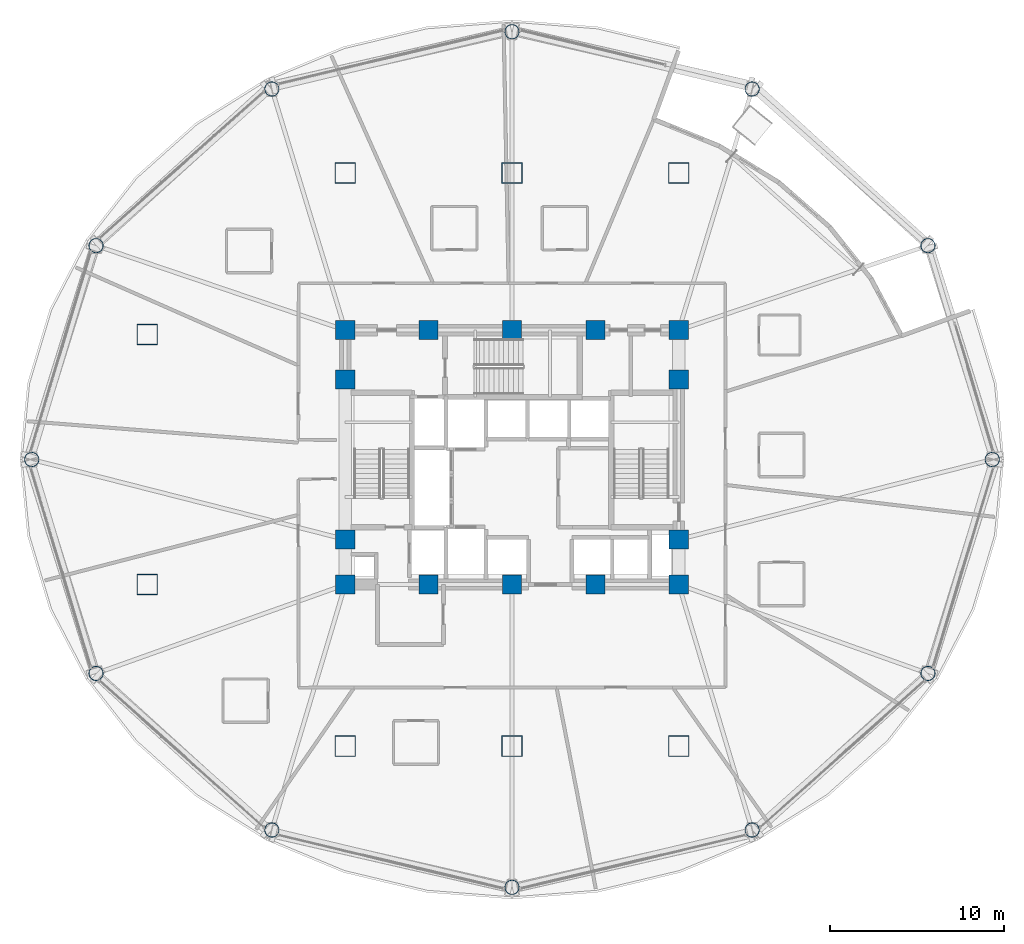
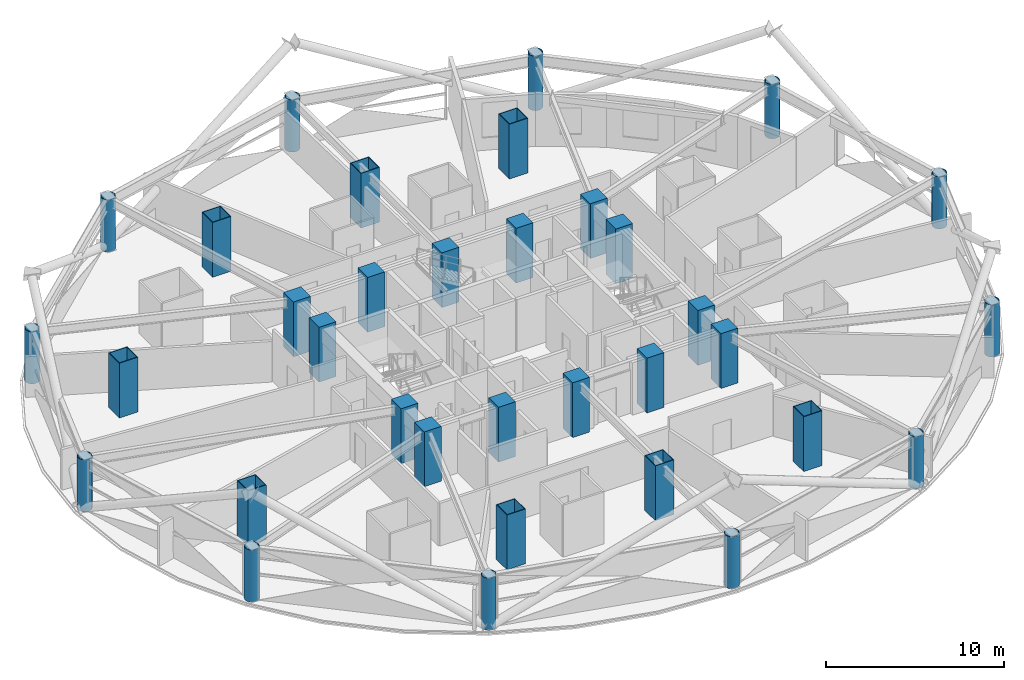
# One storey, part 1 of 33: 34 columns.
"""IFC4 building model written with IfcOpenShell, lengths in metres."""

from ifc_helpers import new_model, si_unit, direction, frame, origin, origin_2d, place, context, subcontext, project, spatial, rectangle, hollow_rectangle, hollow_circle, extrude, material, material_profile, profile_set, type_object, element, save


model = new_model("IFC4")

# Units and contexts
model_context = context("Model", 3, precision=1e-05, world=origin(), true_north=direction((0.0, 1.0)))
body_context = subcontext(model_context, "Body", "Model", "MODEL_VIEW")
ifc_project = project(units=[si_unit("LENGTHUNIT", "METRE"), si_unit("AREAUNIT", "SQUARE_METRE"), si_unit("VOLUMEUNIT", "CUBIC_METRE"), si_unit("PLANEANGLEUNIT", "RADIAN"), si_unit("MASSUNIT", "GRAM", prefix="KILO")], contexts=[model_context])

# Site, building, storey
site_placement = place(None, origin())
site = spatial("IfcSite", under=ifc_project, at=site_placement, CompositionType="ELEMENT")
building_placement = place(site_placement, origin())
building = spatial("IfcBuilding", under=site, at=building_placement, Name="Vantalir Tower", CompositionType="ELEMENT")
storey_placement = place(building_placement, frame((0.0, 0.0, 72.0)))
storey = spatial("IfcBuildingStorey", under=building, at=storey_placement, Name="L17", CompositionType="ELEMENT", Elevation=72.0)

# Columns
ifc_material_1 = material(Name="Concrete C60/75", Category="concrete")
ifc_material_profile_1 = material_profile(ifc_material_1, rectangle(XDim=1.10009765625, YDim=1.10009765625, at=origin_2d()), Name="Concrete C60/75")
ifc_profile_set_1 = profile_set([ifc_material_profile_1], Name="Concrete C60/75")
column_type_1 = type_object("IfcColumnType", Name="COL-CC-1100", PredefinedType="COLUMN", material=ifc_profile_set_1)
for number, where, z_axis, x_axis, name in (
    (1, (21.89990234375, 17.800048828125, 0.0), (0.0, 0.0, 1.0), (1.0, 0.0, 0.0), "L17 Core Column CC01"),
    (2, (26.699951171875, 17.800048828125, 0.0), (0.0, 0.0, 1.0), (1.0, 0.0, 0.0), "L17 Core Column CC02"),
    (3, (31.5, 17.800048828125, 0.0), (0.0, 0.0, 1.0), (1.0, 0.0, 0.0), "L17 Core Column CC03"),
    (4, (36.300048828125, 17.800048828125, 0.0), (0.0, 0.0, 1.0), (1.0, 0.0, 0.0), "L17 Core Column CC04"),
    (5, (41.10009765625, 17.800048828125, 0.0), (0.0, 0.0, 1.0), (1.0, 0.0, 0.0), "L17 Core Column CC05"),
    (6, (21.89990234375, 20.39990234375, 0.0), (0.0, 0.0, 1.0), (1.0, 0.0, 0.0), "L17 Core Column CC06"),
    (7, (21.89990234375, 29.60009765625, 0.0), (0.0, 0.0, 1.0), (1.0, 0.0, 0.0), "L17 Core Column CC07"),
    (8, (41.10009765625, 20.39990234375, 0.0), (0.0, 0.0, 1.0), (1.0, 0.0, 0.0), "L17 Core Column CC08"),
    (9, (41.10009765625, 29.60009765625, 0.0), (0.0, 0.0, 1.0), (1.0, 0.0, 0.0), "L17 Core Column CC09"),
    (10, (21.89990234375, 32.449951171875, 0.0), (0.0, 0.0, 1.0), (1.0, 0.0, 0.0), "L17 Core Column CC10"),
    (11, (26.699951171875, 32.449951171875, 0.0), (0.0, 0.0, 1.0), (1.0, 0.0, 0.0), "L17 Core Column CC11"),
    (12, (31.5, 32.449951171875, 0.0), (0.0, 0.0, 1.0), (1.0, 0.0, 0.0), "L17 Core Column CC12"),
    (13, (36.300048828125, 32.449951171875, 0.0), (0.0, 0.0, 1.0), (1.0, 0.0, 0.0), "L17 Core Column CC13"),
    (14, (41.10009765625, 32.449951171875, 0.0), (0.0, 0.0, 1.0), (1.0, 0.0, 0.0), "L17 Core Column CC14"),
):
    element("IfcColumn", number, at=place(storey_placement, frame(where, z_axis=z_axis, x_axis=x_axis)), inside=storey, type_object=column_type_1, Name=name, PredefinedType="COLUMN", context=body_context, shape_type="SweptSolid", body=[
        extrude(rectangle(XDim=1.10009765625, YDim=1.10009765625, at=origin_2d()), origin(), (0.0, 0.0, 1.0), 3.75),
    ])
ifc_material_2 = material(Name="Steel S460", Category="steel")
ifc_material_profile_2 = material_profile(ifc_material_2, hollow_rectangle(XDim=1.199951171875, YDim=1.199951171875, WallThickness=0.044921875, at=origin_2d()), Name="Steel S460")
ifc_profile_set_2 = profile_set([ifc_material_profile_2], Name="Steel S460")
column_type_2 = type_object("IfcColumnType", Name="COL-MC-1200", PredefinedType="COLUMN", material=ifc_profile_set_2)
for number, where, z_axis, x_axis, name in (
    (15, (21.89990234375, 8.5, 0.0), (0.0, 0.0, 1.0), (1.0, 0.0, 0.0), "L17 S460 Mega-Column MC01"),
    (16, (31.5, 8.5, 0.0), (0.0, 0.0, 1.0), (1.0, 0.0, 0.0), "L17 S460 Mega-Column MC02"),
    (17, (41.10009765625, 8.5, 0.0), (0.0, 0.0, 1.0), (1.0, 0.0, 0.0), "L17 S460 Mega-Column MC03"),
    (18, (10.5, 17.800048828125, 0.0), (0.0, 0.0, 1.0), (1.0, 0.0, 0.0), "L17 S460 Mega-Column MC04"),
    (19, (10.5, 32.199951171875, 0.0), (0.0, 0.0, 1.0), (1.0, 0.0, 0.0), "L17 S460 Mega-Column MC05"),
    (20, (21.89990234375, 41.5, 0.0), (0.0, 0.0, 1.0), (1.0, 0.0, 0.0), "L17 S460 Mega-Column MC06"),
    (21, (31.5, 41.5, 0.0), (0.0, 0.0, 1.0), (1.0, 0.0, 0.0), "L17 S460 Mega-Column MC07"),
    (22, (41.10009765625, 41.5, 0.0), (0.0, 0.0, 1.0), (1.0, 0.0, 0.0), "L17 S460 Mega-Column MC08"),
):
    element("IfcColumn", number, at=place(storey_placement, frame(where, z_axis=z_axis, x_axis=x_axis)), inside=storey, type_object=column_type_2, Name=name, PredefinedType="COLUMN", context=body_context, shape_type="SweptSolid", body=[
        extrude(hollow_rectangle(XDim=1.199951171875, YDim=1.199951171875, WallThickness=0.044921875, at=origin_2d()), origin(), (0.0, 0.0, 1.0), 3.75),
    ])
ifc_material_profile_3 = material_profile(ifc_material_2, hollow_circle(Radius=0.425048828125, WallThickness=0.0400390625, at=origin_2d()), Name="Steel S460")
ifc_profile_set_3 = profile_set([ifc_material_profile_3], Name="Steel S460")
column_type_3 = type_object("IfcColumnType", Name="COL-RC-850", PredefinedType="COLUMN", material=ifc_profile_set_3)
column_placement = place(storey_placement, frame((59.14990234375, 25.0, 0.0), z_axis=(0.0, 0.0, 1.0), x_axis=(1.0, 0.0, 0.0)))
element("IfcColumn", 23, at=column_placement, inside=storey, type_object=column_type_3, Name="L17 Perimeter Ring Column RC01", PredefinedType="COLUMN", context=body_context, shape_type="SweptSolid", body=[
    extrude(hollow_circle(Radius=0.425048828125, WallThickness=0.0400390625, at=origin_2d()), origin(), (0.0, 0.0, 1.0), 3.570068359375),
])
for number, where, z_axis, x_axis, name in (
    (24, (55.446044921875, 37.31396484375, 0.0), (0.0, 0.0, 1.0), (1.0, 0.0, 0.0), "L17 Perimeter Ring Column RC02"),
    (25, (45.324951171875, 46.3291015625, 0.0), (0.0, 0.0, 1.0), (1.0, 0.0, 0.0), "L17 Perimeter Ring Column RC03"),
):
    element("IfcColumn", number, at=place(storey_placement, frame(where, z_axis=z_axis, x_axis=x_axis)), inside=storey, type_object=column_type_3, Name=name, PredefinedType="COLUMN", context=body_context, shape_type="SweptSolid", body=[
        extrude(hollow_circle(Radius=0.425048828125, WallThickness=0.0400390625, at=origin_2d()), origin(), (0.0, 0.0, 1.0), 3.72412109375),
    ])
for number, where, z_axis, x_axis, name in (
    (26, (31.5, 49.62890625, 0.0), (0.0, 0.0, 1.0), (1.0, 0.0, 0.0), "L17 Perimeter Ring Column RC04"),
    (27, (17.675048828125, 46.3291015625, 0.0), (0.0, 0.0, 1.0), (1.0, 0.0, 0.0), "L17 Perimeter Ring Column RC05"),
    (28, (7.553955078125, 37.31396484375, 0.0), (0.0, 0.0, 1.0), (1.0, 0.0, 0.0), "L17 Perimeter Ring Column RC06"),
    (29, (3.85009765625, 25.0, 0.0), (0.0, 0.0, 1.0), (1.0, 0.0, 0.0), "L17 Perimeter Ring Column RC07"),
    (30, (7.553955078125, 12.68505859375, 0.0), (0.0, 0.0, 1.0), (1.0, 0.0, 0.0), "L17 Perimeter Ring Column RC08"),
    (31, (17.675048828125, 3.6708984375, 0.0), (0.0, 0.0, 1.0), (1.0, 0.0, 0.0), "L17 Perimeter Ring Column RC09"),
    (32, (31.5, 0.37109375, 0.0), (0.0, 0.0, 1.0), (1.0, 0.0, 0.0), "L17 Perimeter Ring Column RC10"),
    (33, (45.324951171875, 3.6708984375, 0.0), (0.0, 0.0, 1.0), (1.0, 0.0, 0.0), "L17 Perimeter Ring Column RC11"),
    (34, (55.446044921875, 12.68505859375, 0.0), (0.0, 0.0, 1.0), (1.0, 0.0, 0.0), "L17 Perimeter Ring Column RC12"),
):
    element("IfcColumn", number, at=place(storey_placement, frame(where, z_axis=z_axis, x_axis=x_axis)), inside=storey, type_object=column_type_3, Name=name, PredefinedType="COLUMN", context=body_context, shape_type="SweptSolid", body=[
        extrude(hollow_circle(Radius=0.425048828125, WallThickness=0.0400390625, at=origin_2d()), origin(), (0.0, 0.0, 1.0), 3.570068359375),
    ])

save(model, "model.ifc")
